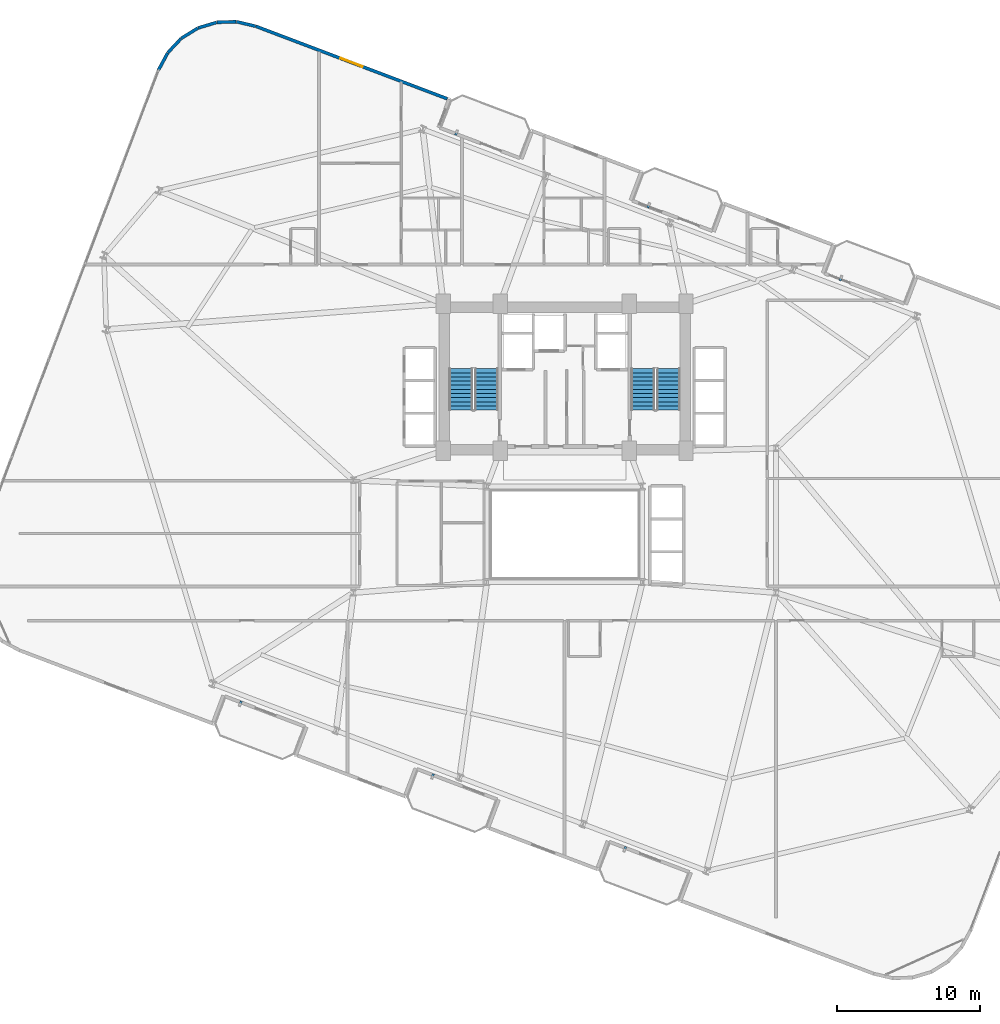
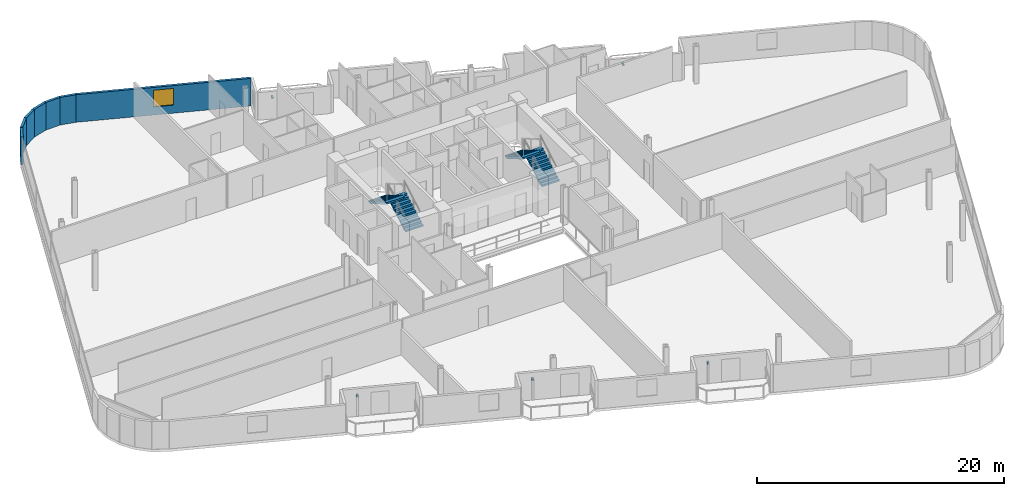
# One storey, part 22 of 25: 7 walls, 6 discrete accessories, 4 stair flights, 1 window, 1 opening, 2 elements without a shape of their own.
"""IFC4 building model written with IfcOpenShell, lengths in metres."""

from ifc_helpers import new_model, si_unit, direction, frame, frame_2d, origin, origin_2d, place, context, subcontext, project, spatial, polyline, rectangle, outline, extrude, source, transform, mapped, material, layer, layer_set, type_object, element, fill, aggregate, save


model = new_model("IFC4")

# Units and contexts
model_context = context("Model", 3, precision=1e-05, world=origin(), true_north=direction((0.0, 1.0)))
body_context = subcontext(model_context, "Body", "Model", "MODEL_VIEW")
ifc_project = project(units=[si_unit("LENGTHUNIT", "METRE"), si_unit("AREAUNIT", "SQUARE_METRE"), si_unit("VOLUMEUNIT", "CUBIC_METRE"), si_unit("PLANEANGLEUNIT", "RADIAN"), si_unit("MASSUNIT", "GRAM", prefix="KILO")], contexts=[model_context])

# Site, building, storey
site_placement = place(None, origin())
site = spatial("IfcSite", under=ifc_project, at=site_placement, CompositionType="ELEMENT")
building_placement = place(site_placement, origin())
building = spatial("IfcBuilding", under=site, at=building_placement, Name="Varnelok Gate Tower", CompositionType="ELEMENT")
storey_placement = place(building_placement, frame((0.0, 0.0, 105.800048828125)))
storey = spatial("IfcBuildingStorey", under=building, at=storey_placement, Name="L26", CompositionType="ELEMENT", Elevation=105.800048828125)

# Wall, opening, window
ifc_material_1 = material(Name="Concrete C45/55", Category="concrete")
ifc_layer = layer(ifc_material_1, 0.219970703125)
ifc_layer_set = layer_set([ifc_layer], Name="Concrete C45/55")
wall_type = type_object("IfcWallType", Name="EW-BALC-220", PredefinedType="SOLIDWALL", material=ifc_layer_set)
wall_1_placement = place(storey_placement, frame((30.97607421875, 53.412841796875, 0.0), z_axis=(0.0, 0.0, 1.0), x_axis=(-0.935220327379, 0.354066292178, 0.0)))
wall_1 = element("IfcWall", 1, at=wall_1_placement, inside=storey, type_object=wall_type, Name="L26 Perimeter Facade Closure Wall 38", PredefinedType="SOLIDWALL", context=body_context, shape_type="SweptSolid", body=[
    extrude(rectangle(XDim=14.34716796875, YDim=0.219970703125, at=frame_2d((7.173583984375, 0.0))), origin(), (0.0, 0.0, 1.0), 2.72998046875),
])
opening_placement = place(wall_1_placement, frame((6.348388671875, 0.0, 0.800048828125)))
opening = element("IfcOpeningElement", 2, at=opening_placement, cuts=wall_1, Name="Opening WN3", PredefinedType="OPENING", context=body_context, shape_type="SweptSolid", body=[
    extrude(rectangle(XDim=1.64990234375, YDim=1.64990234375, at=frame_2d((0.824951171875, 0.824951171875))), frame((0.0, 0.119873046875, 0.0), z_axis=(0.0, -1.0, 0.0), x_axis=(1.0, 0.0, 0.0)), (0.0, 0.0, 1.0), 0.239990234375),
])
ifc_material_2 = material(Name="Low-E Laminated Double Glazing IGU", Category="glass")
window_type = type_object("IfcWindowType", Name="WN-HTL-1650", PartitioningType="SINGLE_PANEL", PredefinedType="WINDOW", material=ifc_material_2)
window_placement = place(opening_placement, origin())
window = element("IfcWindow", 3, at=window_placement, inside=storey, type_object=window_type, Name="L26 Perimeter Vision Window 38", OverallHeight=1.64990234375, OverallWidth=1.64990234375, PartitioningType="SINGLE_PANEL", PredefinedType="WINDOW", context=body_context, shape_type="SweptSolid", body=[
    extrude(rectangle(XDim=1.64990234375, YDim=1.64990234375, at=frame_2d((0.824951171875, 0.824951171875))), frame((0.0, 0.030029296875, 0.0), z_axis=(0.0, -1.0, 0.0), x_axis=(1.0, 0.0, 0.0)), (0.0, 0.0, 1.0), 0.06005859375),
])
fill(opening, window)

# Walls
wall_2_placement = place(storey_placement, frame((17.533935546875, 58.498291015625, 0.0), z_axis=(0.0, 0.0, 1.0), x_axis=(-0.973414815952, 0.229049331117, 0.0)))
element("IfcWall", 4, at=wall_2_placement, inside=storey, type_object=wall_type, Name="L26 Perimeter Facade Closure Wall 39", PredefinedType="SOLIDWALL", context=body_context, shape_type="SweptSolid", body=[
    extrude(rectangle(XDim=1.361083984375, YDim=0.219970703125, at=frame_2d((0.6806640625, 0.0))), origin(), (0.0, 0.0, 1.0), 2.72998046875),
])
wall_3_placement = place(storey_placement, frame((16.18408203125, 58.809326171875, 0.0), z_axis=(0.0, 0.0, 1.0), x_axis=(-0.999523971993, -0.03085173271, 0.0)))
element("IfcWall", 5, at=wall_3_placement, inside=storey, type_object=wall_type, Name="L26 Perimeter Facade Closure Wall 40", PredefinedType="SOLIDWALL", context=body_context, shape_type="SweptSolid", body=[
    extrude(rectangle(XDim=1.353271484375, YDim=0.219970703125, at=frame_2d((0.6767578125, 0.0))), origin(), (0.0, 0.0, 1.0), 2.72998046875),
])
for number, where, z_axis, x_axis, name in (
    (6, (14.8076171875, 58.76025390625, 0.0), (0.0, 0.0, 1.0), (-0.957532798303, -0.28832436625, 0.0), "L26 Perimeter Facade Closure Wall 41"),
    (7, (13.49072265625, 58.35693359375, 0.0), (0.0, 0.0, 1.0), (-0.850261301096, -0.526360826676, 0.0), "L26 Perimeter Facade Closure Wall 42"),
    (8, (12.3232421875, 57.62646484375, 0.0), (0.0, 0.0, 1.0), (-0.684936830459, -0.728602455583, 0.0), "L26 Perimeter Facade Closure Wall 43"),
    (9, (11.384521484375, 56.61865234375, 0.0), (0.0, 0.0, 1.0), (-0.473077364598, -0.881020889142, 0.0), "L26 Perimeter Facade Closure Wall 44"),
):
    element("IfcWall", number, at=place(storey_placement, frame(where, z_axis=z_axis, x_axis=x_axis)), inside=storey, type_object=wall_type, Name=name, PredefinedType="SOLIDWALL", context=body_context, shape_type="SweptSolid", body=[
        extrude(rectangle(XDim=1.35302734375, YDim=0.219970703125, at=frame_2d((0.676513671875, 0.0))), origin(), (0.0, 0.0, 1.0), 2.72998046875),
    ])

# Stair, stair flights
ifc_material_3 = material(Name="Concrete C50/60", Category="concrete")
stair_type = type_object("IfcStairType", Name="STR-CORE-1650", PredefinedType="HALF_TURN_STAIR", material=ifc_material_3)
stair_1_placement = place(storey_placement, origin())
stair_1 = element("IfcStair", 10, at=stair_1_placement, inside=storey, type_object=stair_type, Name="L26 Exit Stair ST-1", PredefinedType="HALF_TURN_STAIR")
stair_flight_type = type_object("IfcStairFlightType", Name="SFL-CORE-1650", PredefinedType="STRAIGHT", material=ifc_material_3)
stair_flight_1_placement = place(storey_placement, frame((33.72509765625, 31.60009765625, 0.0), z_axis=(0.0, 0.0, 1.0), x_axis=(0.0, 1.0, 0.0)))
stair_flight_1 = element("IfcStairFlight", 11, at=stair_flight_1_placement, type_object=stair_flight_type, Name="ST-1 flight 1", NumberOfRisers=11, NumberOfTreads=10, PredefinedType="STRAIGHT", RiserHeight=0.168181818, TreadLength=0.29, context=body_context, shape_type="SweptSolid", body=[
    extrude(outline(polyline([(0.0, 0.0), (0.0, 0.168212890625), (0.2900390625, 0.168212890625), (0.2900390625, 0.33642578125), (0.580078125, 0.33642578125), (0.580078125, 0.504638671875), (0.8701171875, 0.504638671875), (0.8701171875, 0.672607421875), (1.159912109375, 0.672607421875), (1.159912109375, 0.8408203125), (1.449951171875, 0.8408203125), (1.449951171875, 1.009033203125), (1.739990234375, 1.009033203125), (1.739990234375, 1.17724609375), (2.030029296875, 1.17724609375), (2.030029296875, 1.345458984375), (2.320068359375, 1.345458984375), (2.320068359375, 1.513671875), (2.610107421875, 1.513671875), (2.610107421875, 1.681884765625), (2.89990234375, 1.681884765625), (2.89990234375, 1.85009765625), (2.89990234375, 1.508544921875), (0.298828125, 0.0), (0.0, 0.0)])), frame((0.0, 0.824951171875, 0.0), z_axis=(0.0, -1.0, 0.0), x_axis=(1.0, 0.0, 0.0)), (0.0, 0.0, 1.0), 1.64990234375),
])
stair_flight_2_placement = place(storey_placement, frame((31.925048828125, 34.5, 1.849853515625), z_axis=(0.0, 0.0, 1.0), x_axis=(0.0, -1.0, 0.0)))
stair_flight_2 = element("IfcStairFlight", 12, at=stair_flight_2_placement, type_object=stair_flight_type, Name="ST-1 flight 2", NumberOfRisers=11, NumberOfTreads=10, PredefinedType="STRAIGHT", RiserHeight=0.168181818, TreadLength=0.29, context=body_context, shape_type="SweptSolid", body=[
    extrude(outline(polyline([(0.0, 0.0), (0.0, 0.168212890625), (0.2900390625, 0.168212890625), (0.2900390625, 0.33642578125), (0.580078125, 0.33642578125), (0.580078125, 0.504638671875), (0.8701171875, 0.504638671875), (0.8701171875, 0.672607421875), (1.159912109375, 0.672607421875), (1.159912109375, 0.8408203125), (1.449951171875, 0.8408203125), (1.449951171875, 1.009033203125), (1.739990234375, 1.009033203125), (1.739990234375, 1.17724609375), (2.030029296875, 1.17724609375), (2.030029296875, 1.345458984375), (2.320068359375, 1.345458984375), (2.320068359375, 1.513671875), (2.610107421875, 1.513671875), (2.610107421875, 1.681884765625), (2.89990234375, 1.681884765625), (2.89990234375, 1.85009765625), (2.89990234375, 1.508544921875), (0.298828125, 0.0), (0.0, 0.0)])), frame((0.0, 0.824951171875, 0.0), z_axis=(0.0, -1.0, 0.0), x_axis=(1.0, 0.0, 0.0)), (0.0, 0.0, 1.0), 1.64990234375),
])
aggregate(stair_1, [stair_flight_1, stair_flight_2])

stair_2_placement = place(storey_placement, origin())
stair_2 = element("IfcStair", 13, at=stair_2_placement, inside=storey, type_object=stair_type, Name="L26 Exit Stair ST-2", PredefinedType="HALF_TURN_STAIR")
stair_flight_3_placement = place(storey_placement, frame((46.47509765625, 31.60009765625, 0.0), z_axis=(0.0, 0.0, 1.0), x_axis=(0.0, 1.0, 0.0)))
stair_flight_3 = element("IfcStairFlight", 14, at=stair_flight_3_placement, type_object=stair_flight_type, Name="ST-2 flight 1", NumberOfRisers=11, NumberOfTreads=10, PredefinedType="STRAIGHT", RiserHeight=0.168181818, TreadLength=0.29, context=body_context, shape_type="SweptSolid", body=[
    extrude(outline(polyline([(0.0, 0.0), (0.0, 0.168212890625), (0.2900390625, 0.168212890625), (0.2900390625, 0.33642578125), (0.580078125, 0.33642578125), (0.580078125, 0.504638671875), (0.8701171875, 0.504638671875), (0.8701171875, 0.672607421875), (1.159912109375, 0.672607421875), (1.159912109375, 0.8408203125), (1.449951171875, 0.8408203125), (1.449951171875, 1.009033203125), (1.739990234375, 1.009033203125), (1.739990234375, 1.17724609375), (2.030029296875, 1.17724609375), (2.030029296875, 1.345458984375), (2.320068359375, 1.345458984375), (2.320068359375, 1.513671875), (2.610107421875, 1.513671875), (2.610107421875, 1.681884765625), (2.89990234375, 1.681884765625), (2.89990234375, 1.85009765625), (2.89990234375, 1.508544921875), (0.298828125, 0.0), (0.0, 0.0)])), frame((0.0, 0.824951171875, 0.0), z_axis=(0.0, -1.0, 0.0), x_axis=(1.0, 0.0, 0.0)), (0.0, 0.0, 1.0), 1.64990234375),
])
stair_flight_4_placement = place(storey_placement, frame((44.675048828125, 34.5, 1.849853515625), z_axis=(0.0, 0.0, 1.0), x_axis=(0.0, -1.0, 0.0)))
stair_flight_4 = element("IfcStairFlight", 15, at=stair_flight_4_placement, type_object=stair_flight_type, Name="ST-2 flight 2", NumberOfRisers=11, NumberOfTreads=10, PredefinedType="STRAIGHT", RiserHeight=0.168181818, TreadLength=0.29, context=body_context, shape_type="SweptSolid", body=[
    extrude(outline(polyline([(0.0, 0.0), (0.0, 0.168212890625), (0.2900390625, 0.168212890625), (0.2900390625, 0.33642578125), (0.580078125, 0.33642578125), (0.580078125, 0.504638671875), (0.8701171875, 0.504638671875), (0.8701171875, 0.672607421875), (1.159912109375, 0.672607421875), (1.159912109375, 0.8408203125), (1.449951171875, 0.8408203125), (1.449951171875, 1.009033203125), (1.739990234375, 1.009033203125), (1.739990234375, 1.17724609375), (2.030029296875, 1.17724609375), (2.030029296875, 1.345458984375), (2.320068359375, 1.345458984375), (2.320068359375, 1.513671875), (2.610107421875, 1.513671875), (2.610107421875, 1.681884765625), (2.89990234375, 1.681884765625), (2.89990234375, 1.85009765625), (2.89990234375, 1.508544921875), (0.298828125, 0.0), (0.0, 0.0)])), frame((0.0, 0.824951171875, 0.0), z_axis=(0.0, -1.0, 0.0), x_axis=(1.0, 0.0, 0.0)), (0.0, 0.0, 1.0), 1.64990234375),
])
aggregate(stair_2, [stair_flight_3, stair_flight_4])

# Discrete accessories
ifc_material_4 = material(Name="Structural Steel ASTM A500 Grade C", Category="steel")
discrete_accessory_type = type_object("IfcDiscreteAccessoryType", Name="ACC-BAGUETTE-BRK", PredefinedType="BRACKET", material=ifc_material_4)
shared_shape = source(origin(), body_context, "Body", "SweptSolid", [
    extrude(rectangle(XDim=0.159912109375, YDim=0.340087890625, at=origin_2d()), origin(), (0.0, 0.0, 1.0), 0.139892578125),
])
for number, where, z_axis, x_axis, name in (
    (16, (16.483154296875, 11.050048828125, 1.97998046875), (0.0, 0.0, 1.0), (0.935221751401, -0.354062530786, 0.0), "L26 Terracotta Baguette Bracket 1.1"),
    (17, (29.9501953125, 5.95166015625, 1.97998046875), (0.0, 0.0, 1.0), (0.935221751401, -0.354062530786, 0.0), "L26 Terracotta Baguette Bracket 2.1"),
    (18, (43.41748046875, 0.85302734375, 1.97998046875), (0.0, 0.0, 1.0), (0.935221751401, -0.354062530786, 0.0), "L26 Terracotta Baguette Bracket 3.1"),
    (19, (31.61572265625, 51.021484375, 1.97998046875), (0.0, 0.0, 1.0), (0.935221751401, -0.354062530786, 0.0), "L26 Terracotta Baguette Bracket 4.1"),
    (20, (45.0830078125, 45.923095703125, 1.97998046875), (0.0, 0.0, 1.0), (0.935221751401, -0.354062530786, 0.0), "L26 Terracotta Baguette Bracket 5.1"),
    (21, (58.550048828125, 40.824462890625, 1.97998046875), (0.0, 0.0, 1.0), (0.935221751401, -0.354062530786, 0.0), "L26 Terracotta Baguette Bracket 6.1"),
):
    element("IfcDiscreteAccessory", number, at=place(storey_placement, frame(where, z_axis=z_axis, x_axis=x_axis)), inside=storey, type_object=discrete_accessory_type, Name=name, PredefinedType="BRACKET", context=body_context, shape_type="MappedRepresentation", body=[
        mapped(shared_shape, transform((0.0, 0.0, 0.0), scale=1.0)),
    ])

save(model, "model.ifc")
